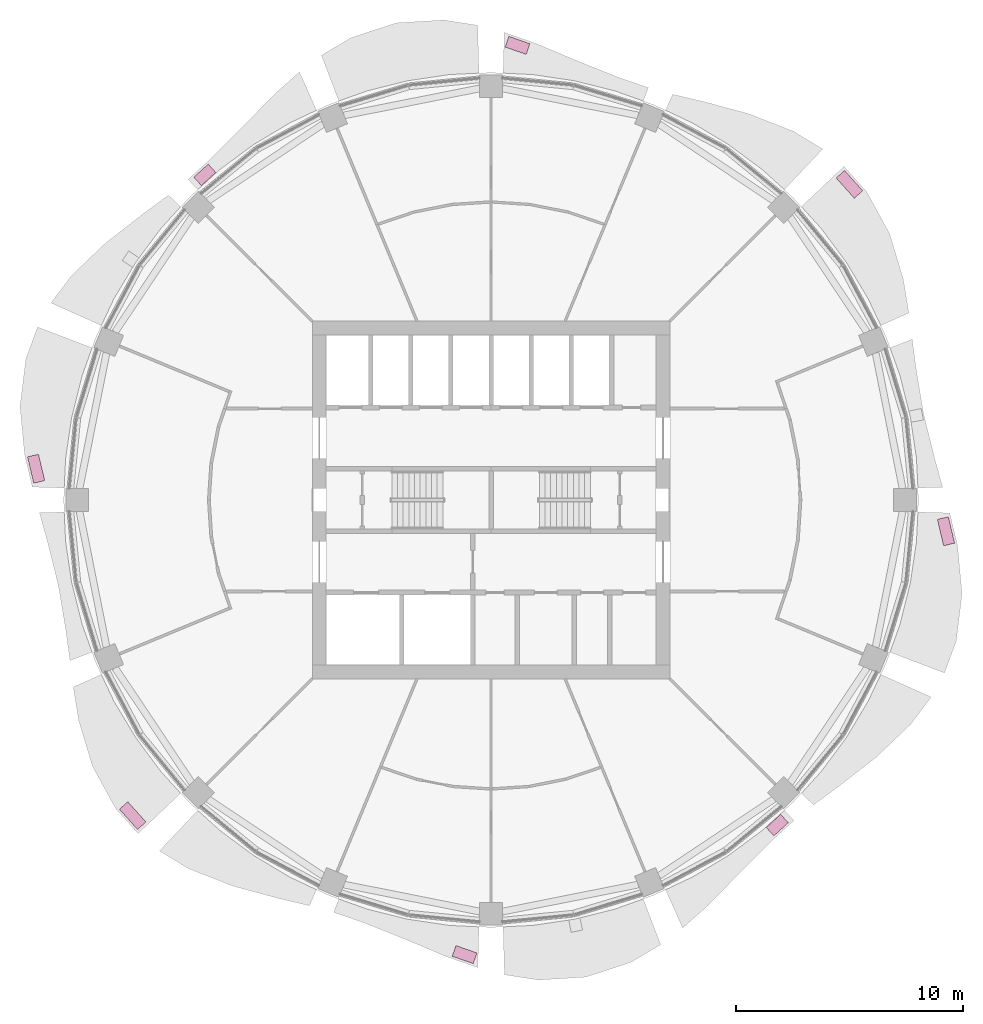
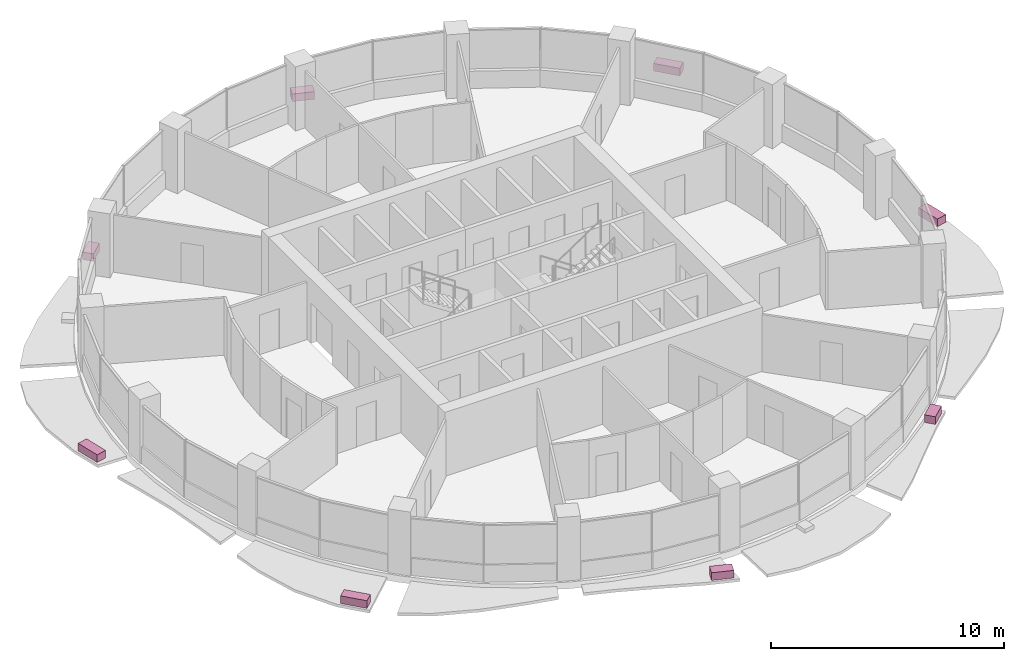
# One storey, part 15 of 15: 8 furniture elements.
"""IFC4 building model written with IfcOpenShell, lengths in metres."""

from ifc_helpers import new_model, si_unit, direction, frame, origin, origin_2d, place, context, subcontext, project, spatial, rectangle, extrude, material, type_object, element, save


model = new_model("IFC4")

# Units and contexts
model_context = context("Model", 3, precision=1e-05, world=origin(), true_north=direction((0.0, 1.0)))
body_context = subcontext(model_context, "Body", "Model", "MODEL_VIEW")
ifc_project = project(units=[si_unit("LENGTHUNIT", "METRE"), si_unit("AREAUNIT", "SQUARE_METRE"), si_unit("VOLUMEUNIT", "CUBIC_METRE"), si_unit("PLANEANGLEUNIT", "RADIAN"), si_unit("MASSUNIT", "GRAM", prefix="KILO")], contexts=[model_context])

# Site, building, storey
site_placement = place(None, origin())
site = spatial("IfcSite", under=ifc_project, at=site_placement, CompositionType="ELEMENT")
building_placement = place(site_placement, origin())
building = spatial("IfcBuilding", under=site, at=building_placement, Name="Polderwave Tower", CompositionType="ELEMENT")
storey_placement = place(building_placement, frame((0.0, 0.0, 157.800048828125)))
storey = spatial("IfcBuildingStorey", under=building, at=storey_placement, Name="L42", CompositionType="ELEMENT", Elevation=157.800048828125)

# Furniture
ifc_material = material(Name="Terracotta", Category="masonry")
furniture_type = type_object("IfcFurnitureType", Name="Terracotta planting trough", AssemblyPlace="NOTDEFINED", PredefinedType="USERDEFINED", material=ifc_material)
furniture_1_placement = place(storey_placement, frame((15.7861328125, 13.903076171875, -0.199951171875), z_axis=(0.0, 0.0, 1.0), x_axis=(-0.667533715867, 0.744579571424, 0.0)))
element("IfcFurniture", 1, at=furniture_1_placement, inside=storey, type_object=furniture_type, Name="Planting trough L42 2", ObjectType="PLANTER", PredefinedType="USERDEFINED", context=body_context, shape_type="SweptSolid", body=[
    extrude(rectangle(XDim=1.197265625, YDim=0.5, at=origin_2d()), origin(), (0.0, 0.0, 1.0), 0.39990234375),
])
furniture_2_placement = place(storey_placement, frame((1.165771484375, 20.0244140625, -0.199951171875), z_axis=(0.0, 0.0, 1.0), x_axis=(-0.944412525305, 0.328762805145, 0.0)))
element("IfcFurniture", 2, at=furniture_2_placement, inside=storey, type_object=furniture_type, Name="Planting trough L42 4", ObjectType="PLANTER", PredefinedType="USERDEFINED", context=body_context, shape_type="SweptSolid", body=[
    extrude(rectangle(XDim=0.982421875, YDim=0.5, at=origin_2d()), origin(), (0.0, 0.0, 1.0), 0.39990234375),
])
furniture_3_placement = place(storey_placement, frame((-12.6083984375, 14.321533203125, -0.199951171875), z_axis=(0.0, 0.0, 1.0), x_axis=(-0.738498883634, -0.674254698813, 0.0)))
element("IfcFurniture", 3, at=furniture_3_placement, inside=storey, type_object=furniture_type, Name="Planting trough L42 6", ObjectType="PLANTER", PredefinedType="USERDEFINED", context=body_context, shape_type="SweptSolid", body=[
    extrude(rectangle(XDim=0.860595703125, YDim=0.5, at=origin_2d()), origin(), (0.0, 0.0, 1.0), 0.39990234375),
])
furniture_4_placement = place(storey_placement, frame((-20.03955078125, 1.377685546875, -0.199951171875), z_axis=(0.0, 0.0, 1.0), x_axis=(0.230148250027, -0.973155580064, 0.0)))
element("IfcFurniture", 4, at=furniture_4_placement, inside=storey, type_object=furniture_type, Name="Planting trough L42 8", ObjectType="PLANTER", PredefinedType="USERDEFINED", context=body_context, shape_type="SweptSolid", body=[
    extrude(rectangle(XDim=1.1943359375, YDim=0.5, at=origin_2d()), origin(), (0.0, 0.0, 1.0), 0.39990234375),
])
furniture_5_placement = place(storey_placement, frame((-15.7861328125, -13.903076171875, -0.199951171875), z_axis=(0.0, 0.0, 1.0), x_axis=(0.667533715867, -0.744579571424, 0.0)))
element("IfcFurniture", 5, at=furniture_5_placement, inside=storey, type_object=furniture_type, Name="Planting trough L42 10", ObjectType="PLANTER", PredefinedType="USERDEFINED", context=body_context, shape_type="SweptSolid", body=[
    extrude(rectangle(XDim=1.197265625, YDim=0.5, at=origin_2d()), origin(), (0.0, 0.0, 1.0), 0.39990234375),
])
furniture_6_placement = place(storey_placement, frame((-1.165771484375, -20.0244140625, -0.199951171875), z_axis=(0.0, 0.0, 1.0), x_axis=(0.944412525305, -0.328762805145, 0.0)))
element("IfcFurniture", 6, at=furniture_6_placement, inside=storey, type_object=furniture_type, Name="Planting trough L42 12", ObjectType="PLANTER", PredefinedType="USERDEFINED", context=body_context, shape_type="SweptSolid", body=[
    extrude(rectangle(XDim=0.982421875, YDim=0.5, at=origin_2d()), origin(), (0.0, 0.0, 1.0), 0.39990234375),
])
furniture_7_placement = place(storey_placement, frame((12.6083984375, -14.321533203125, -0.199951171875), z_axis=(0.0, 0.0, 1.0), x_axis=(0.738498883634, 0.674254698813, 0.0)))
element("IfcFurniture", 7, at=furniture_7_placement, inside=storey, type_object=furniture_type, Name="Planting trough L42 14", ObjectType="PLANTER", PredefinedType="USERDEFINED", context=body_context, shape_type="SweptSolid", body=[
    extrude(rectangle(XDim=0.860595703125, YDim=0.5, at=origin_2d()), origin(), (0.0, 0.0, 1.0), 0.39990234375),
])
furniture_8_placement = place(storey_placement, frame((20.03955078125, -1.377685546875, -0.199951171875), z_axis=(0.0, 0.0, 1.0), x_axis=(-0.230148250027, 0.973155580064, 0.0)))
element("IfcFurniture", 8, at=furniture_8_placement, inside=storey, type_object=furniture_type, Name="Planting trough L42 16", ObjectType="PLANTER", PredefinedType="USERDEFINED", context=body_context, shape_type="SweptSolid", body=[
    extrude(rectangle(XDim=1.1943359375, YDim=0.5, at=origin_2d()), origin(), (0.0, 0.0, 1.0), 0.39990234375),
])

save(model, "model.ifc")
